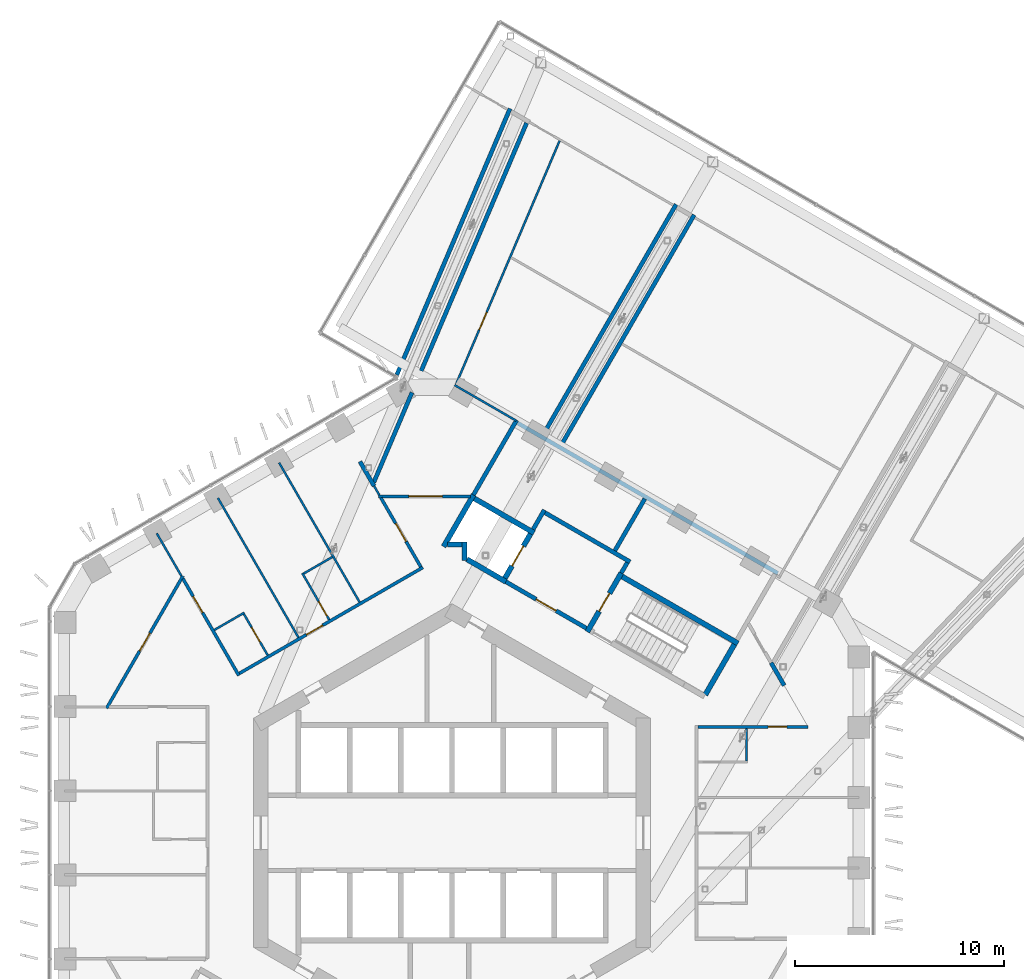
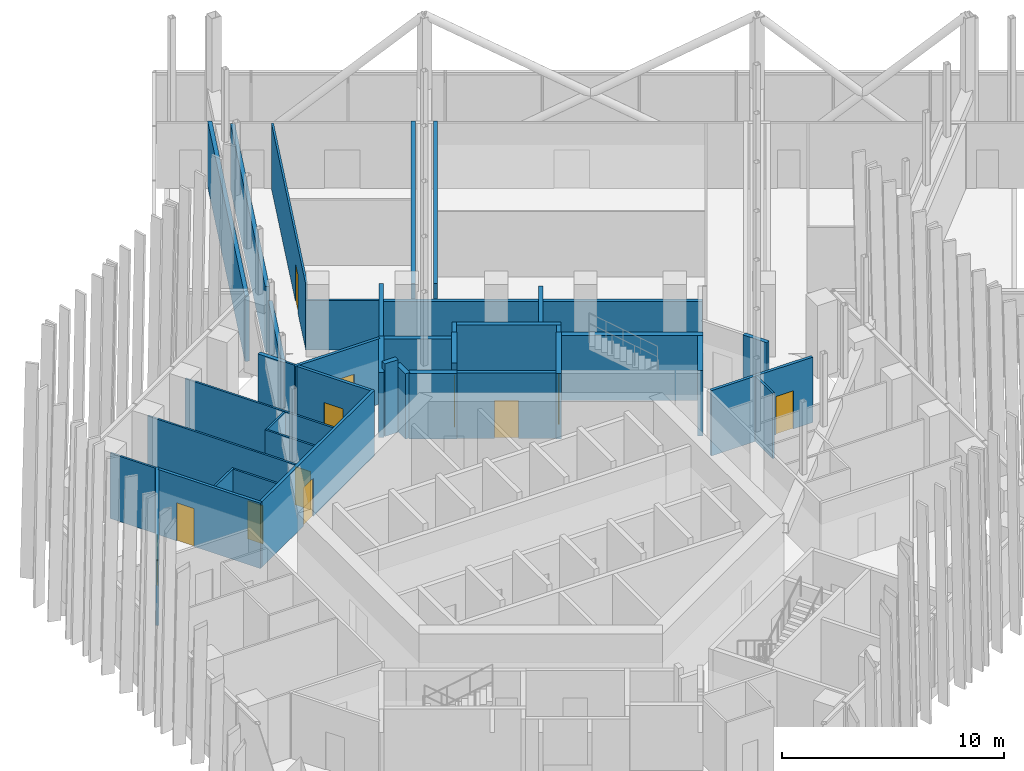
# One storey, part 22 of 31: 40 walls, 12 doors, 12 openings.
"""IFC4 building model written with IfcOpenShell, lengths in metres."""

from ifc_helpers import new_model, si_unit, direction, frame, frame_2d, origin, place, context, subcontext, project, spatial, rectangle, extrude, material, layer, layer_set, type_object, element, fill, save


model = new_model("IFC4")

# Units and contexts
model_context = context("Model", 3, precision=1e-05, world=origin(), true_north=direction((0.0, 1.0)))
body_context = subcontext(model_context, "Body", "Model", "MODEL_VIEW")
ifc_project = project(units=[si_unit("LENGTHUNIT", "METRE"), si_unit("AREAUNIT", "SQUARE_METRE"), si_unit("VOLUMEUNIT", "CUBIC_METRE"), si_unit("PLANEANGLEUNIT", "RADIAN"), si_unit("MASSUNIT", "GRAM", prefix="KILO")], contexts=[model_context])

# Site, building, storey
site_placement = place(None, origin())
site = spatial("IfcSite", under=ifc_project, at=site_placement, CompositionType="ELEMENT")
building_placement = place(site_placement, origin())
building = spatial("IfcBuilding", under=site, at=building_placement, Name="Ayvan Gate Tower", CompositionType="ELEMENT")
storey_placement = place(building_placement, frame((0.0, 0.0, 135.89990234375)))
storey = spatial("IfcBuildingStorey", under=building, at=storey_placement, Name="L36", CompositionType="ELEMENT", Elevation=135.89990234375)

# Wall, opening, door
ifc_material_1 = material(Name="Plasterboard on steel stud", Category="steel")
ifc_layer_1 = layer(ifc_material_1, 0.14990234375)
ifc_layer_set_1 = layer_set([ifc_layer_1], Name="Plasterboard on steel stud")
wall_type_1 = type_object("IfcWallType", Name="WT-CORR-150", PredefinedType="PARTITIONING", material=ifc_layer_set_1)
wall_1_placement = place(storey_placement, frame((-16.536865234375, 5.965087890625, 0.0), z_axis=(0.0, 0.0, 1.0), x_axis=(0.500014413017, 0.866017082265, 0.0)))
wall_1 = element("IfcWall", 1, at=wall_1_placement, inside=storey, type_object=wall_type_1, Name="IW-L36-001", PredefinedType="PARTITIONING", context=body_context, shape_type="SweptSolid", body=[
    extrude(rectangle(XDim=7.310791015625, YDim=0.14990234375, at=frame_2d((3.6552734375, 0.0))), origin(), (0.0, 0.0, 1.0), 3.60009765625),
])
opening_1_placement = place(wall_1_placement, frame((3.155517578125, 0.0, 0.0)))
opening_1 = element("IfcOpeningElement", 2, at=opening_1_placement, cuts=wall_1, Name="Opening L36-D23", PredefinedType="OPENING", context=body_context, shape_type="SweptSolid", body=[
    extrude(rectangle(XDim=1.0, YDim=2.10009765625, at=frame_2d((0.5, 1.050048828125))), frame((0.0, 0.0849609375, 0.0), z_axis=(0.0, -1.0, 0.0), x_axis=(1.0, 0.0, 0.0)), (0.0, 0.0, 1.0), 0.169921875),
])
ifc_material_2 = material(Name="Timber door leaf", Category="wood")
door_type_1 = type_object("IfcDoorType", Name="DT-1000", OperationType="NOTDEFINED", PredefinedType="DOOR", material=ifc_material_2)
door_1_placement = place(opening_1_placement, origin())
door_1 = element("IfcDoor", 3, at=door_1_placement, inside=storey, type_object=door_type_1, Name="ID-L36-023", OperationType="SINGLE_SWING_LEFT", OverallHeight=2.10009765625, OverallWidth=1.0, PredefinedType="DOOR", context=body_context, shape_type="SweptSolid", body=[
    extrude(rectangle(XDim=1.0, YDim=2.10009765625, at=frame_2d((0.5, 1.050048828125))), frame((0.0, 0.02490234375, 0.0), z_axis=(0.0, -1.0, 0.0), x_axis=(1.0, 0.0, 0.0)), (0.0, 0.0, 1.0), 0.050048828125),
])
fill(opening_1, door_1)

wall_2_placement = place(storey_placement, frame((-12.88134765625, 12.16650390625, 0.0), z_axis=(0.0, 0.0, 1.0), x_axis=(0.500034386872, -0.866005549604, 0.0)))
wall_2 = element("IfcWall", 4, at=wall_2_placement, inside=storey, type_object=wall_type_1, Name="IW-L36-012", PredefinedType="PARTITIONING", context=body_context, shape_type="SweptSolid", body=[
    extrude(rectangle(XDim=5.35205078125, YDim=0.14990234375, at=frame_2d((2.676025390625, 0.0))), origin(), (0.0, 0.0, 1.0), 3.60009765625),
])
opening_2_placement = place(wall_2_placement, frame((0.9736328125, 0.0, 0.0)))
opening_2 = element("IfcOpeningElement", 5, at=opening_2_placement, cuts=wall_2, Name="Opening L36-D36", PredefinedType="OPENING", context=body_context, shape_type="SweptSolid", body=[
    extrude(rectangle(XDim=0.89990234375, YDim=2.10009765625, at=frame_2d((0.449951171875, 1.050048828125))), frame((0.0, 0.0849609375, 0.0), z_axis=(0.0, -1.0, 0.0), x_axis=(1.0, 0.0, 0.0)), (0.0, 0.0, 1.0), 0.169921875),
])
door_type_2 = type_object("IfcDoorType", Name="DT-900", OperationType="NOTDEFINED", PredefinedType="DOOR", material=ifc_material_2)
door_2_placement = place(opening_2_placement, origin())
door_2 = element("IfcDoor", 6, at=door_2_placement, inside=storey, type_object=door_type_2, Name="ID-L36-036", OperationType="SINGLE_SWING_RIGHT", OverallHeight=2.10009765625, OverallWidth=0.89990234375, PredefinedType="DOOR", context=body_context, shape_type="SweptSolid", body=[
    extrude(rectangle(XDim=0.89990234375, YDim=2.10009765625, at=frame_2d((0.449951171875, 1.050048828125))), frame((0.0, 0.02490234375, 0.0), z_axis=(0.0, -1.0, 0.0), x_axis=(1.0, 0.0, 0.0)), (0.0, 0.0, 1.0), 0.050048828125),
])
fill(opening_2, door_2)

wall_3_placement = place(storey_placement, frame((-10.177734375, 7.6337890625, 0.0), z_axis=(0.0, 0.0, 1.0), x_axis=(0.866024876865, 0.500000912651, 0.0)))
wall_3 = element("IfcWall", 7, at=wall_3_placement, inside=storey, type_object=wall_type_1, Name="IW-L36-019", PredefinedType="PARTITIONING", context=body_context, shape_type="SweptSolid", body=[
    extrude(rectangle(XDim=10.14453125, YDim=0.14990234375, at=frame_2d((5.072265625, 0.0))), origin(), (0.0, 0.0, 1.0), 3.60009765625),
])
opening_3_placement = place(wall_3_placement, frame((3.70654296875, 0.0, 0.0)))
opening_3 = element("IfcOpeningElement", 8, at=opening_3_placement, cuts=wall_3, Name="Opening L36-D34", PredefinedType="OPENING", context=body_context, shape_type="SweptSolid", body=[
    extrude(rectangle(XDim=0.89990234375, YDim=2.10009765625, at=frame_2d((0.449951171875, 1.050048828125))), frame((0.0, 0.0849609375, 0.0), z_axis=(0.0, -1.0, 0.0), x_axis=(1.0, 0.0, 0.0)), (0.0, 0.0, 1.0), 0.169921875),
])
door_3_placement = place(opening_3_placement, origin())
door_3 = element("IfcDoor", 9, at=door_3_placement, inside=storey, type_object=door_type_2, Name="ID-L36-034", OperationType="SINGLE_SWING_RIGHT", OverallHeight=2.10009765625, OverallWidth=0.89990234375, PredefinedType="DOOR", context=body_context, shape_type="SweptSolid", body=[
    extrude(rectangle(XDim=0.89990234375, YDim=2.10009765625, at=frame_2d((0.449951171875, 1.050048828125))), frame((0.0, 0.02490234375, 0.0), z_axis=(0.0, -1.0, 0.0), x_axis=(1.0, 0.0, 0.0)), (0.0, 0.0, 1.0), 0.050048828125),
])
fill(opening_3, door_3)

wall_4_placement = place(storey_placement, frame((-3.515625, 16.103759765625, 0.0), z_axis=(0.0, 0.0, 1.0), x_axis=(1.0, 0.0, 0.0)))
wall_4 = element("IfcWall", 10, at=wall_4_placement, inside=storey, type_object=wall_type_1, Name="IW-L36-046", PredefinedType="PARTITIONING", context=body_context, shape_type="SweptSolid", body=[
    extrude(rectangle(XDim=4.3994140625, YDim=0.14990234375, at=frame_2d((2.19970703125, 0.0))), origin(), (0.0, 0.0, 1.0), 3.60009765625),
])
opening_4_placement = place(wall_4_placement, frame((1.45458984375, 0.0, 0.0)))
opening_4 = element("IfcOpeningElement", 11, at=opening_4_placement, cuts=wall_4, Name="Opening L36-D45", PredefinedType="OPENING", context=body_context, shape_type="SweptSolid", body=[
    extrude(rectangle(XDim=1.60009765625, YDim=2.10009765625, at=frame_2d((0.800048828125, 1.050048828125))), frame((0.0, 0.0849609375, 0.0), z_axis=(0.0, -1.0, 0.0), x_axis=(1.0, 0.0, 0.0)), (0.0, 0.0, 1.0), 0.169921875),
])
door_type_3 = type_object("IfcDoorType", Name="DT-1600", OperationType="NOTDEFINED", PredefinedType="DOOR", material=ifc_material_2)
door_4_placement = place(opening_4_placement, origin())
door_4 = element("IfcDoor", 12, at=door_4_placement, inside=storey, type_object=door_type_3, Name="ID-L36-045", OperationType="SINGLE_SWING_LEFT", OverallHeight=2.10009765625, OverallWidth=1.60009765625, PredefinedType="DOOR", context=body_context, shape_type="SweptSolid", body=[
    extrude(rectangle(XDim=1.60009765625, YDim=2.10009765625, at=frame_2d((0.800048828125, 1.050048828125))), frame((0.0, 0.02490234375, 0.0), z_axis=(0.0, -1.0, 0.0), x_axis=(1.0, 0.0, 0.0)), (0.0, 0.0, 1.0), 0.050048828125),
])
fill(opening_4, door_4)

wall_5_placement = place(storey_placement, frame((-1.494873046875, 12.733642578125, 0.0), z_axis=(0.0, 0.0, 1.0), x_axis=(-0.499991942392, 0.866030055796, 0.0)))
wall_5 = element("IfcWall", 13, at=wall_5_placement, inside=storey, type_object=wall_type_1, Name="IW-L36-053", PredefinedType="PARTITIONING", context=body_context, shape_type="SweptSolid", body=[
    extrude(rectangle(XDim=3.81640625, YDim=0.14990234375, at=frame_2d((1.908203125, 0.0))), origin(), (0.0, 0.0, 1.0), 3.60009765625),
])
opening_5_placement = place(wall_5_placement, frame((1.408203125, 0.0, 0.0)))
opening_5 = element("IfcOpeningElement", 14, at=opening_5_placement, cuts=wall_5, Name="Opening L36-D33", PredefinedType="OPENING", context=body_context, shape_type="SweptSolid", body=[
    extrude(rectangle(XDim=1.0, YDim=2.10009765625, at=frame_2d((0.5, 1.050048828125))), frame((0.0, 0.0849609375, 0.0), z_axis=(0.0, -1.0, 0.0), x_axis=(1.0, 0.0, 0.0)), (0.0, 0.0, 1.0), 0.169921875),
])
door_5_placement = place(opening_5_placement, origin())
door_5 = element("IfcDoor", 15, at=door_5_placement, inside=storey, type_object=door_type_1, Name="ID-L36-033", OperationType="SINGLE_SWING_LEFT", OverallHeight=2.10009765625, OverallWidth=1.0, PredefinedType="DOOR", context=body_context, shape_type="SweptSolid", body=[
    extrude(rectangle(XDim=1.0, YDim=2.10009765625, at=frame_2d((0.5, 1.050048828125))), frame((0.0, 0.02490234375, 0.0), z_axis=(0.0, -1.0, 0.0), x_axis=(1.0, 0.0, 0.0)), (0.0, 0.0, 1.0), 0.050048828125),
])
fill(opening_5, door_5)

wall_6_placement = place(storey_placement, frame((11.77490234375, 5.072265625, 0.0), z_axis=(0.0, 0.0, 1.0), x_axis=(1.0, 0.0, 0.0)))
wall_6 = element("IfcWall", 16, at=wall_6_placement, inside=storey, type_object=wall_type_1, Name="IW-L36-124", PredefinedType="PARTITIONING", context=body_context, shape_type="SweptSolid", body=[
    extrude(rectangle(XDim=5.27734375, YDim=0.14990234375, at=frame_2d((2.638671875, 0.0))), origin(), (0.0, 0.0, 1.0), 3.60009765625),
])
opening_6_placement = place(wall_6_placement, frame((3.3662109375, 0.0, 0.0)))
opening_6 = element("IfcOpeningElement", 17, at=opening_6_placement, cuts=wall_6, Name="Opening L36-D21", PredefinedType="OPENING", context=body_context, shape_type="SweptSolid", body=[
    extrude(rectangle(XDim=0.89990234375, YDim=2.10009765625, at=frame_2d((0.449951171875, 1.050048828125))), frame((0.0, 0.0849609375, 0.0), z_axis=(0.0, -1.0, 0.0), x_axis=(1.0, 0.0, 0.0)), (0.0, 0.0, 1.0), 0.169921875),
])
door_6_placement = place(opening_6_placement, origin())
door_6 = element("IfcDoor", 18, at=door_6_placement, inside=storey, type_object=door_type_2, Name="ID-L36-021", OperationType="SINGLE_SWING_LEFT", OverallHeight=2.10009765625, OverallWidth=0.89990234375, PredefinedType="DOOR", context=body_context, shape_type="SweptSolid", body=[
    extrude(rectangle(XDim=0.89990234375, YDim=2.10009765625, at=frame_2d((0.449951171875, 1.050048828125))), frame((0.0, 0.02490234375, 0.0), z_axis=(0.0, -1.0, 0.0), x_axis=(1.0, 0.0, 0.0)), (0.0, 0.0, 1.0), 0.050048828125),
])
fill(opening_6, door_6)

# Walls
ifc_layer_2 = layer(ifc_material_1, 0.10009765625)
ifc_layer_set_2 = layer_set([ifc_layer_2], Name="Plasterboard on steel stud")
wall_type_2 = type_object("IfcWallType", Name="WT-PART-100", PredefinedType="PARTITIONING", material=ifc_layer_set_2)
wall_7_placement = place(storey_placement, frame((-14.135498046875, 14.3388671875, 0.0), z_axis=(0.0, 0.0, 1.0), x_axis=(0.499991277142, -0.86603043987, 0.0)))
element("IfcWall", 19, at=wall_7_placement, inside=storey, type_object=wall_type_2, Name="IW-L36-009", PredefinedType="PARTITIONING", context=body_context, shape_type="SweptSolid", body=[
    extrude(rectangle(XDim=2.3583984375, YDim=0.10009765625, at=frame_2d((1.17919921875, 0.0))), origin(), (0.0, 0.0, 1.0), 3.60009765625),
])
wall_8_placement = place(storey_placement, frame((-9.943115234375, 10.54052734375, 0.0), z_axis=(0.0, 0.0, 1.0), x_axis=(-0.866057962423, -0.499943602543, 0.0)))
element("IfcWall", 20, at=wall_8_placement, inside=storey, type_object=wall_type_2, Name="IW-L36-020", PredefinedType="PARTITIONING", context=body_context, shape_type="SweptSolid", body=[
    extrude(rectangle(XDim=1.656494140625, YDim=0.10009765625, at=frame_2d((0.828125, 0.0))), origin(), (0.0, 0.0, 1.0), 3.60009765625),
])

# Wall, opening, door
wall_9_placement = place(storey_placement, frame((-8.823974609375, 8.502197265625, 0.0), z_axis=(0.0, 0.0, 1.0), x_axis=(-0.499982560684, 0.866035472144, 0.0)))
wall_9 = element("IfcWall", 21, at=wall_9_placement, inside=storey, type_object=wall_type_2, Name="IW-L36-022", PredefinedType="PARTITIONING", context=body_context, shape_type="SweptSolid", body=[
    extrude(rectangle(XDim=2.27490234375, YDim=0.10009765625, at=frame_2d((1.137451171875, 0.0))), origin(), (0.0, 0.0, 1.0), 3.60009765625),
])
opening_7_placement = place(wall_9_placement, frame((0.737548828125, 0.0, 0.0)))
opening_7 = element("IfcOpeningElement", 22, at=opening_7_placement, cuts=wall_9, Name="Opening L36-D37", PredefinedType="OPENING", context=body_context, shape_type="SweptSolid", body=[
    extrude(rectangle(XDim=0.800048828125, YDim=2.10009765625, at=frame_2d((0.39990234375, 1.050048828125))), frame((0.0, 0.06005859375, 0.0), z_axis=(0.0, -1.0, 0.0), x_axis=(1.0, 0.0, 0.0)), (0.0, 0.0, 1.0), 0.1201171875),
])
door_type_4 = type_object("IfcDoorType", Name="DT-800", OperationType="NOTDEFINED", PredefinedType="DOOR", material=ifc_material_2)
door_7_placement = place(opening_7_placement, origin())
door_7 = element("IfcDoor", 23, at=door_7_placement, inside=storey, type_object=door_type_4, Name="ID-L36-037", OperationType="SINGLE_SWING_LEFT", OverallHeight=2.10009765625, OverallWidth=0.800048828125, PredefinedType="DOOR", context=body_context, shape_type="SweptSolid", body=[
    extrude(rectangle(XDim=0.800048828125, YDim=2.10009765625, at=frame_2d((0.39990234375, 1.050048828125))), frame((0.0, 0.02490234375, 0.0), z_axis=(0.0, -1.0, 0.0), x_axis=(1.0, 0.0, 0.0)), (0.0, 0.0, 1.0), 0.050048828125),
])
fill(opening_7, door_7)

# Wall
wall_10_placement = place(storey_placement, frame((-7.351806640625, 9.35205078125, 0.0), z_axis=(0.0, 0.0, 1.0), x_axis=(-0.499997453958, 0.866026873738, 0.0)))
element("IfcWall", 24, at=wall_10_placement, inside=storey, type_object=wall_type_2, Name="IW-L36-032", PredefinedType="PARTITIONING", context=body_context, shape_type="SweptSolid", body=[
    extrude(rectangle(XDim=7.71044921875, YDim=0.10009765625, at=frame_2d((3.855224609375, 0.0))), origin(), (0.0, 0.0, 1.0), 3.60009765625),
])

# Wall, opening, door
wall_11_placement = place(storey_placement, frame((-7.1669921875, 12.43212890625, 0.0), z_axis=(0.0, 0.0, 1.0), x_axis=(0.500034319456, -0.866005588531, 0.0)))
wall_11 = element("IfcWall", 25, at=wall_11_placement, inside=storey, type_object=wall_type_2, Name="IW-L36-033", PredefinedType="PARTITIONING", context=body_context, shape_type="SweptSolid", body=[
    extrude(rectangle(XDim=2.574951171875, YDim=0.10009765625, at=frame_2d((1.28759765625, 0.0))), origin(), (0.0, 0.0, 1.0), 3.60009765625),
])
opening_8_placement = place(wall_11_placement, frame((1.5625, 0.0, 0.0)))
opening_8 = element("IfcOpeningElement", 26, at=opening_8_placement, cuts=wall_11, Name="Opening L36-D35", PredefinedType="OPENING", context=body_context, shape_type="SweptSolid", body=[
    extrude(rectangle(XDim=0.800048828125, YDim=2.10009765625, at=frame_2d((0.39990234375, 1.050048828125))), frame((0.0, 0.06005859375, 0.0), z_axis=(0.0, -1.0, 0.0), x_axis=(1.0, 0.0, 0.0)), (0.0, 0.0, 1.0), 0.1201171875),
])
door_8_placement = place(opening_8_placement, origin())
door_8 = element("IfcDoor", 27, at=door_8_placement, inside=storey, type_object=door_type_4, Name="ID-L36-035", OperationType="SINGLE_SWING_LEFT", OverallHeight=2.10009765625, OverallWidth=0.800048828125, PredefinedType="DOOR", context=body_context, shape_type="SweptSolid", body=[
    extrude(rectangle(XDim=0.800048828125, YDim=2.10009765625, at=frame_2d((0.39990234375, 1.050048828125))), frame((0.0, 0.02490234375, 0.0), z_axis=(0.0, -1.0, 0.0), x_axis=(1.0, 0.0, 0.0)), (0.0, 0.0, 1.0), 0.050048828125),
])
fill(opening_8, door_8)

# Walls
wall_12_placement = place(storey_placement, frame((-5.72900390625, 13.20458984375, 0.0), z_axis=(0.0, 0.0, 1.0), x_axis=(-0.866021059532, -0.50000752439, 0.0)))
element("IfcWall", 28, at=wall_12_placement, inside=storey, type_object=wall_type_2, Name="IW-L36-036", PredefinedType="PARTITIONING", context=body_context, shape_type="SweptSolid", body=[
    extrude(rectangle(XDim=1.58154296875, YDim=0.10009765625, at=frame_2d((0.790771484375, 0.0))), origin(), (0.0, 0.0, 1.0), 3.60009765625),
])
wall_13_placement = place(storey_placement, frame((-4.42333984375, 11.042724609375, 0.0), z_axis=(0.0, 0.0, 1.0), x_axis=(-0.499983743644, 0.866034789193, 0.0)))
element("IfcWall", 29, at=wall_13_placement, inside=storey, type_object=wall_type_2, Name="IW-L36-042", PredefinedType="PARTITIONING", context=body_context, shape_type="SweptSolid", body=[
    extrude(rectangle(XDim=7.710693359375, YDim=0.10009765625, at=frame_2d((3.85546875, 0.0))), origin(), (0.0, 0.0, 1.0), 3.60009765625),
])
wall_14_placement = place(storey_placement, frame((-3.730712890625, 16.6064453125, 0.0), z_axis=(0.0, 0.0, 1.0), x_axis=(0.499931517724, -0.866064938435, 0.0)))
element("IfcWall", 30, at=wall_14_placement, inside=storey, type_object=wall_type_2, Name="IW-L36-044", PredefinedType="PARTITIONING", context=body_context, shape_type="SweptSolid", body=[
    extrude(rectangle(XDim=0.50537109375, YDim=0.10009765625, at=frame_2d((0.252685546875, 0.0))), origin(), (0.0, 0.0, 1.0), 3.60009765625),
])
wall_15_placement = place(storey_placement, frame((0.123779296875, 21.43603515625, 0.0), z_axis=(0.0, 0.0, 1.0), x_axis=(0.866036589769, -0.499980624807, 0.0)))
element("IfcWall", 31, at=wall_15_placement, inside=storey, type_object=wall_type_2, Name="IW-L36-065", PredefinedType="PARTITIONING", context=body_context, shape_type="SweptSolid", body=[
    extrude(rectangle(XDim=3.410888671875, YDim=0.10009765625, at=frame_2d((1.70556640625, 0.0))), origin(), (0.0, 0.0, 1.0), 2.72509765625),
])

# Wall, opening, door
wall_16_placement = place(storey_placement, frame((0.1865234375, 21.45703125, 0.0), z_axis=(0.0, 0.0, 1.0), x_axis=(0.391326404729, 0.920251946459, 0.0)))
wall_16 = element("IfcWall", 32, at=wall_16_placement, inside=storey, type_object=wall_type_2, Name="IW-L36-083", PredefinedType="PARTITIONING", context=body_context, shape_type="SweptSolid", body=[
    extrude(rectangle(XDim=12.689697265625, YDim=0.10009765625, at=frame_2d((6.3447265625, 0.0))), origin(), (0.0, 0.0, 1.0), 3.60009765625),
])
opening_9_placement = place(wall_16_placement, frame((2.856689453125, 0.0, 0.0)))
opening_9 = element("IfcOpeningElement", 33, at=opening_9_placement, cuts=wall_16, Name="Opening L36-D46", PredefinedType="OPENING", context=body_context, shape_type="SweptSolid", body=[
    extrude(rectangle(XDim=0.89990234375, YDim=2.10009765625, at=frame_2d((0.449951171875, 1.050048828125))), frame((0.0, 0.06005859375, 0.0), z_axis=(0.0, -1.0, 0.0), x_axis=(1.0, 0.0, 0.0)), (0.0, 0.0, 1.0), 0.1201171875),
])
door_9_placement = place(opening_9_placement, origin())
door_9 = element("IfcDoor", 34, at=door_9_placement, inside=storey, type_object=door_type_2, Name="ID-L36-046", OperationType="SINGLE_SWING_RIGHT", OverallHeight=2.10009765625, OverallWidth=0.89990234375, PredefinedType="DOOR", context=body_context, shape_type="SweptSolid", body=[
    extrude(rectangle(XDim=0.89990234375, YDim=2.10009765625, at=frame_2d((0.449951171875, 1.050048828125))), frame((0.0, 0.02490234375, 0.0), z_axis=(0.0, -1.0, 0.0), x_axis=(1.0, 0.0, 0.0)), (0.0, 0.0, 1.0), 0.050048828125),
])
fill(opening_9, door_9)

# Walls
wall_17_placement = place(storey_placement, frame((14.10009765625, 3.440673828125, 0.0), z_axis=(0.0, 0.0, 1.0), x_axis=(0.0, 1.0, 0.0)))
element("IfcWall", 35, at=wall_17_placement, inside=storey, type_object=wall_type_2, Name="IW-L36-123", PredefinedType="PARTITIONING", context=body_context, shape_type="SweptSolid", body=[
    extrude(rectangle(XDim=1.556640625, YDim=0.10009765625, at=frame_2d((0.7783203125, 0.0))), origin(), (0.0, 0.0, 1.0), 3.60009765625),
])
ifc_layer_3 = layer(ifc_material_1, 0.199951171875)
ifc_layer_set_3 = layer_set([ifc_layer_3], Name="Plasterboard on steel stud")
wall_type_3 = type_object("IfcWallType", Name="WT-PLUMB-200", PredefinedType="PLUMBINGWALL", material=ifc_layer_set_3)
wall_18_placement = place(storey_placement, frame((-4.406494140625, 17.777099609375, 0.0), z_axis=(0.0, 0.0, 1.0), x_axis=(0.499868360126, -0.866101392762, 0.0)))
element("IfcWall", 36, at=wall_18_placement, inside=storey, type_object=wall_type_3, Name="IW-L36-041", PredefinedType="PLUMBINGWALL", context=body_context, shape_type="SweptSolid", body=[
    extrude(rectangle(XDim=1.351806640625, YDim=0.199951171875, at=frame_2d((0.67578125, 0.0))), origin(), (0.0, 0.0, 1.0), 3.60009765625),
])
wall_19_placement = place(storey_placement, frame((-3.74169921875, 16.784912109375, 0.0), z_axis=(0.0, 0.0, 1.0), x_axis=(0.391305578828, 0.920260802152, 0.0)))
element("IfcWall", 37, at=wall_19_placement, inside=storey, type_object=wall_type_3, Name="IW-L36-045", PredefinedType="PLUMBINGWALL", context=body_context, shape_type="SweptSolid", body=[
    extrude(rectangle(XDim=4.669921875, YDim=0.199951171875, at=frame_2d((2.3349609375, 0.0))), origin(), (0.0, 0.0, 1.0), 3.60009765625),
])
wall_20_placement = place(storey_placement, frame((-2.642333984375, 21.92578125, 0.0), z_axis=(0.0, 0.0, 1.0), x_axis=(0.391327561496, 0.920251454557, 0.0)))
element("IfcWall", 38, at=wall_20_placement, inside=storey, type_object=wall_type_3, Name="IW-L36-051", PredefinedType="PLUMBINGWALL", context=body_context, shape_type="SweptSolid", body=[
    extrude(rectangle(XDim=13.855712890625, YDim=0.199951171875, at=frame_2d((6.927734375, 0.0))), origin(), (0.0, 0.0, 1.0), 3.60009765625),
])
wall_21_placement = place(storey_placement, frame((0.946044921875, 16.038818359375, 0.0), z_axis=(0.0, 0.0, 1.0), x_axis=(0.50004020135, 0.86600219228, 0.0)))
element("IfcWall", 39, at=wall_21_placement, inside=storey, type_object=wall_type_3, Name="IW-L36-071", PredefinedType="PLUMBINGWALL", context=body_context, shape_type="SweptSolid", body=[
    extrude(rectangle(XDim=4.301025390625, YDim=0.199951171875, at=frame_2d((2.150390625, 0.0))), origin(), (0.0, 0.0, 1.0), 3.60009765625),
])
wall_22_placement = place(storey_placement, frame((3.13330078125, 19.626708984375, 0.0), z_axis=(0.0, 0.0, 1.0), x_axis=(0.866025783705, -0.499999341958, 0.0)))
element("IfcWall", 40, at=wall_22_placement, inside=storey, type_object=wall_type_3, Name="IW-L36-084", PredefinedType="PLUMBINGWALL", context=body_context, shape_type="SweptSolid", body=[
    extrude(rectangle(XDim=14.39990234375, YDim=0.199951171875, at=frame_2d((7.199951171875, 0.0))), origin(), (0.0, 0.0, 1.0), 2.72509765625),
])
wall_23_placement = place(storey_placement, frame((3.573974609375, 33.98876953125, 0.0), z_axis=(0.0, 0.0, 1.0), x_axis=(-0.391321327566, -0.920254105447, 0.0)))
element("IfcWall", 41, at=wall_23_placement, inside=storey, type_object=wall_type_3, Name="IW-L36-087", PredefinedType="PLUMBINGWALL", context=body_context, shape_type="SweptSolid", body=[
    extrude(rectangle(XDim=12.9033203125, YDim=0.199951171875, at=frame_2d((6.45166015625, 0.0))), origin(), (0.0, 0.0, 1.0), 3.60009765625),
])
wall_24_placement = place(storey_placement, frame((3.885009765625, 14.52880859375, 0.0), z_axis=(0.0, 0.0, 1.0), x_axis=(0.499997628298, 0.866026773083, 0.0)))
element("IfcWall", 42, at=wall_24_placement, inside=storey, type_object=wall_type_3, Name="IW-L36-088", PredefinedType="PLUMBINGWALL", context=body_context, shape_type="SweptSolid", body=[
    extrude(rectangle(XDim=1.0751953125, YDim=0.199951171875, at=frame_2d((0.53759765625, 0.0))), origin(), (0.0, 0.0, 1.0), 3.60009765625),
])
wall_25_placement = place(storey_placement, frame((4.352294921875, 19.038330078125, 0.0), z_axis=(0.0, 0.0, 1.0), x_axis=(0.500008481224, 0.866020507092, 0.0)))
element("IfcWall", 43, at=wall_25_placement, inside=storey, type_object=wall_type_3, Name="IW-L36-089", PredefinedType="PLUMBINGWALL", context=body_context, shape_type="SweptSolid", body=[
    extrude(rectangle(XDim=12.757568359375, YDim=0.199951171875, at=frame_2d((6.37890625, 0.0))), origin(), (0.0, 0.0, 1.0), 3.60009765625),
])
wall_26_placement = place(storey_placement, frame((4.458984375, 15.323486328125, 0.0), z_axis=(0.0, 0.0, 1.0), x_axis=(0.866016039709, -0.500016218704, 0.0)))
element("IfcWall", 44, at=wall_26_placement, inside=storey, type_object=wall_type_3, Name="IW-L36-090", PredefinedType="PLUMBINGWALL", context=body_context, shape_type="SweptSolid", body=[
    extrude(rectangle(XDim=4.699951171875, YDim=0.199951171875, at=frame_2d((2.35009765625, 0.0))), origin(), (0.0, 0.0, 1.0), 3.60009765625),
])
wall_27_placement = place(storey_placement, frame((7.800048828125, 13.510009765625, 0.0), z_axis=(0.0, 0.0, 1.0), x_axis=(0.499980730498, 0.866036528751, 0.0)))
element("IfcWall", 45, at=wall_27_placement, inside=storey, type_object=wall_type_3, Name="IW-L36-103", PredefinedType="PLUMBINGWALL", context=body_context, shape_type="SweptSolid", body=[
    extrude(rectangle(XDim=2.86376953125, YDim=0.199951171875, at=frame_2d((1.431884765625, 0.0))), origin(), (0.0, 0.0, 1.0), 3.60009765625),
])
wall_28_placement = place(storey_placement, frame((5.218505859375, 18.538330078125, 0.0), z_axis=(0.0, 0.0, 1.0), x_axis=(0.499994128518, 0.86602879366, 0.0)))
element("IfcWall", 46, at=wall_28_placement, inside=storey, type_object=wall_type_3, Name="IW-L36-106", PredefinedType="PLUMBINGWALL", context=body_context, shape_type="SweptSolid", body=[
    extrude(rectangle(XDim=12.757568359375, YDim=0.199951171875, at=frame_2d((6.37890625, 0.0))), origin(), (0.0, 0.0, 1.0), 3.60009765625),
])
wall_29_placement = place(storey_placement, frame((8.392822265625, 12.936767578125, 0.0), z_axis=(0.0, 0.0, 1.0), x_axis=(-0.500065409566, -0.86598763626, 0.0)))
element("IfcWall", 47, at=wall_29_placement, inside=storey, type_object=wall_type_3, Name="IW-L36-107", PredefinedType="PLUMBINGWALL", context=body_context, shape_type="SweptSolid", body=[
    extrude(rectangle(XDim=0.5751953125, YDim=0.199951171875, at=frame_2d((0.28759765625, 0.0))), origin(), (0.0, 0.0, 1.0), 3.60009765625),
])
wall_30_placement = place(storey_placement, frame((15.28076171875, 8.140380859375, 0.0), z_axis=(0.0, 0.0, 1.0), x_axis=(0.500031220278, -0.866007377998, 0.0)))
element("IfcWall", 48, at=wall_30_placement, inside=storey, type_object=wall_type_3, Name="IW-L36-129", PredefinedType="PLUMBINGWALL", context=body_context, shape_type="SweptSolid", body=[
    extrude(rectangle(XDim=1.2548828125, YDim=0.199951171875, at=frame_2d((0.62744140625, 0.0))), origin(), (0.0, 0.0, 1.0), 3.60009765625),
])

# Wall, opening, door
ifc_layer_4 = layer(ifc_material_1, 0.199951171875)
ifc_layer_set_4 = layer_set([ifc_layer_4], Name="Plasterboard on steel stud")
wall_type_4 = type_object("IfcWallType", Name="WT-RATED-200", PredefinedType="PARTITIONING", material=ifc_layer_set_4)
wall_31_placement = place(storey_placement, frame((6.4345703125, 9.794921875, 0.0), z_axis=(0.0, 0.0, 1.0), x_axis=(-0.866012907634, 0.500021643343, 0.0)))
wall_31 = element("IfcWall", 49, at=wall_31_placement, inside=storey, type_object=wall_type_4, Name="IW-L36-094", PredefinedType="PARTITIONING", context=body_context, shape_type="SweptSolid", body=[
    extrude(rectangle(XDim=4.449951171875, YDim=0.199951171875, at=frame_2d((2.22509765625, 0.0))), origin(), (0.0, 0.0, 1.0), 3.60009765625),
])
opening_10_placement = place(wall_31_placement, frame((1.675048828125, 0.0, 0.0)))
opening_10 = element("IfcOpeningElement", 50, at=opening_10_placement, cuts=wall_31, Name="Opening L36-D08", PredefinedType="OPENING", context=body_context, shape_type="SweptSolid", body=[
    extrude(rectangle(XDim=1.10009765625, YDim=2.10009765625, at=frame_2d((0.550048828125, 1.050048828125))), frame((0.0, 0.10986328125, 0.0), z_axis=(0.0, -1.0, 0.0), x_axis=(1.0, 0.0, 0.0)), (0.0, 0.0, 1.0), 0.219970703125),
])
door_type_5 = type_object("IfcDoorType", Name="DT-1100", OperationType="NOTDEFINED", PredefinedType="DOOR", material=ifc_material_2)
door_10_placement = place(opening_10_placement, origin())
door_10 = element("IfcDoor", 51, at=door_10_placement, inside=storey, type_object=door_type_5, Name="ID-L36-008", OperationType="SINGLE_SWING_RIGHT", OverallHeight=2.10009765625, OverallWidth=1.10009765625, PredefinedType="DOOR", context=body_context, shape_type="SweptSolid", body=[
    extrude(rectangle(XDim=1.10009765625, YDim=2.10009765625, at=frame_2d((0.550048828125, 1.050048828125))), frame((0.0, 0.02490234375, 0.0), z_axis=(0.0, -1.0, 0.0), x_axis=(1.0, 0.0, 0.0)), (0.0, 0.0, 1.0), 0.050048828125),
])
fill(opening_10, door_10)

# Walls
ifc_material_3 = material(Name="Concrete C50/60", Category="concrete")
ifc_layer_5 = layer(ifc_material_3, 0.25)
ifc_layer_set_5 = layer_set([ifc_layer_5], Name="Concrete C50/60")
wall_type_5 = type_object("IfcWallType", Name="WT-RC-250", PredefinedType="SHEAR", material=ifc_layer_set_5)
wall_32_placement = place(storey_placement, frame((-0.403076171875, 13.70166015625, 0.0), z_axis=(0.0, 0.0, 1.0), x_axis=(0.499976111731, 0.866039195244, 0.0)))
element("IfcWall", 52, at=wall_32_placement, inside=storey, type_object=wall_type_5, Name="IW-L36-062", PredefinedType="SHEAR", context=body_context, shape_type="SweptSolid", body=[
    extrude(rectangle(XDim=2.860595703125, YDim=0.25, at=frame_2d((1.43017578125, 0.0))), origin(), (0.0, 0.0, 1.0), 3.60009765625),
])
wall_33_placement = place(storey_placement, frame((0.60009765625, 13.03857421875, 0.0), z_axis=(0.0, 0.0, 1.0), x_axis=(0.0, 1.0, 0.0)))
element("IfcWall", 53, at=wall_33_placement, inside=storey, type_object=wall_type_5, Name="IW-L36-067", PredefinedType="SHEAR", context=body_context, shape_type="SweptSolid", body=[
    extrude(rectangle(XDim=0.896484375, YDim=0.25, at=frame_2d((0.4482421875, 0.0))), origin(), (0.0, 0.0, 1.0), 3.60009765625),
])
wall_34_placement = place(storey_placement, frame((0.47509765625, 13.81005859375, 0.0), z_axis=(0.0, 0.0, 1.0), x_axis=(-1.0, 0.0, 0.0)))
element("IfcWall", 54, at=wall_34_placement, inside=storey, type_object=wall_type_5, Name="IW-L36-068", PredefinedType="SHEAR", context=body_context, shape_type="SweptSolid", body=[
    extrude(rectangle(XDim=0.690673828125, YDim=0.25, at=frame_2d((0.34521484375, 0.0))), origin(), (0.0, 0.0, 1.0), 4.0),
])
wall_35_placement = place(storey_placement, frame((1.072998046875, 16.00830078125, 0.0), z_axis=(0.0, 0.0, 1.0), x_axis=(0.866040211805, -0.499974350878, 0.0)))
element("IfcWall", 55, at=wall_35_placement, inside=storey, type_object=wall_type_5, Name="IW-L36-070", PredefinedType="SHEAR", context=body_context, shape_type="SweptSolid", body=[
    extrude(rectangle(XDim=3.300048828125, YDim=0.25, at=frame_2d((1.64990234375, 0.0))), origin(), (0.0, 0.0, 1.0), 3.60009765625),
])
wall_36_placement = place(storey_placement, frame((2.580810546875, 12.02001953125, 0.0), z_axis=(0.0, 0.0, 1.0), x_axis=(-0.86603892542, 0.499976579108, 0.0)))
element("IfcWall", 56, at=wall_36_placement, inside=storey, type_object=wall_type_5, Name="IW-L36-078", PredefinedType="SHEAR", context=body_context, shape_type="SweptSolid", body=[
    extrude(rectangle(XDim=2.162109375, YDim=0.25, at=frame_2d((1.0810546875, 0.0))), origin(), (0.0, 0.0, 1.0), 3.60009765625),
])

# Wall, opening, door
wall_37_placement = place(storey_placement, frame((2.534912109375, 12.19091796875, 0.0), z_axis=(0.0, 0.0, 1.0), x_axis=(0.500061746146, 0.865989751695, 0.0)))
wall_37 = element("IfcWall", 57, at=wall_37_placement, inside=storey, type_object=wall_type_5, Name="IW-L36-079", PredefinedType="SHEAR", context=body_context, shape_type="SweptSolid", body=[
    extrude(rectangle(XDim=2.449951171875, YDim=0.25, at=frame_2d((1.22509765625, 0.0))), origin(), (0.0, 0.0, 1.0), 4.0),
])
opening_11_placement = place(wall_37_placement, frame((0.675048828125, 0.0, 0.0)))
opening_11 = element("IfcOpeningElement", 58, at=opening_11_placement, cuts=wall_37, Name="Opening L36-LD-FF1", PredefinedType="OPENING", context=body_context, shape_type="SweptSolid", body=[
    extrude(rectangle(XDim=1.10009765625, YDim=2.10009765625, at=frame_2d((0.550048828125, 1.050048828125))), frame((0.0, 0.135009765625, 0.0), z_axis=(0.0, -1.0, 0.0), x_axis=(1.0, 0.0, 0.0)), (0.0, 0.0, 1.0), 0.27001953125),
])
ifc_material_4 = material(Name="Stainless steel landing door", Category="steel")
door_type_6 = type_object("IfcDoorType", Name="DT-LANDING-1100", OperationType="SLIDING_TO_LEFT", PredefinedType="DOOR", material=ifc_material_4)
door_11_placement = place(opening_11_placement, origin())
door_11 = element("IfcDoor", 59, at=door_11_placement, inside=storey, type_object=door_type_6, Name="ID-L36-009", OperationType="SLIDING_TO_LEFT", OverallHeight=2.10009765625, OverallWidth=1.10009765625, PredefinedType="DOOR", context=body_context, shape_type="SweptSolid", body=[
    extrude(rectangle(XDim=1.10009765625, YDim=2.10009765625, at=frame_2d((0.550048828125, 1.050048828125))), frame((0.0, 0.02490234375, 0.0), z_axis=(0.0, -1.0, 0.0), x_axis=(1.0, 0.0, 0.0)), (0.0, 0.0, 1.0), 0.050048828125),
])
fill(opening_11, door_11)

wall_38_placement = place(storey_placement, frame((6.480224609375, 9.624267578125, 0.0), z_axis=(0.0, 0.0, 1.0), x_axis=(0.500017246033, 0.866015446554, 0.0)))
wall_38 = element("IfcWall", 60, at=wall_38_placement, inside=storey, type_object=wall_type_5, Name="IW-L36-095", PredefinedType="SHEAR", context=body_context, shape_type="SweptSolid", body=[
    extrude(rectangle(XDim=3.25, YDim=0.25, at=frame_2d((1.625, 0.0))), origin(), (0.0, 0.0, 1.0), 3.60009765625),
])
opening_12_placement = place(wall_38_placement, frame((1.125, 0.0, 0.0)))
opening_12 = element("IfcOpeningElement", 61, at=opening_12_placement, cuts=wall_38, Name="Opening L36-D07", PredefinedType="OPENING", context=body_context, shape_type="SweptSolid", body=[
    extrude(rectangle(XDim=1.0, YDim=2.10009765625, at=frame_2d((0.5, 1.050048828125))), frame((0.0, 0.135009765625, 0.0), z_axis=(0.0, -1.0, 0.0), x_axis=(1.0, 0.0, 0.0)), (0.0, 0.0, 1.0), 0.27001953125),
])
door_12_placement = place(opening_12_placement, origin())
door_12 = element("IfcDoor", 62, at=door_12_placement, inside=storey, type_object=door_type_1, Name="ID-L36-007", OperationType="SINGLE_SWING_LEFT", OverallHeight=2.10009765625, OverallWidth=1.0, PredefinedType="DOOR", context=body_context, shape_type="SweptSolid", body=[
    extrude(rectangle(XDim=1.0, YDim=2.10009765625, at=frame_2d((0.5, 1.050048828125))), frame((0.0, 0.02490234375, 0.0), z_axis=(0.0, -1.0, 0.0), x_axis=(1.0, 0.0, 0.0)), (0.0, 0.0, 1.0), 0.050048828125),
])
fill(opening_12, door_12)

# Walls
wall_39_placement = place(storey_placement, frame((8.151123046875, 12.26806640625, 0.0), z_axis=(0.0, 0.0, 1.0), x_axis=(0.866025499775, -0.499999833739, 0.0)))
element("IfcWall", 63, at=wall_39_placement, inside=storey, type_object=wall_type_5, Name="IW-L36-104", PredefinedType="SHEAR", context=body_context, shape_type="SweptSolid", body=[
    extrude(rectangle(XDim=6.39990234375, YDim=0.25, at=frame_2d((3.199951171875, 0.0))), origin(), (0.0, 0.0, 1.0), 3.60009765625),
])
wall_40_placement = place(storey_placement, frame((13.52294921875, 9.022216796875, 0.0), z_axis=(0.0, 0.0, 1.0), x_axis=(-0.500013277472, -0.866017737897, 0.0)))
element("IfcWall", 64, at=wall_40_placement, inside=storey, type_object=wall_type_5, Name="IW-L36-121", PredefinedType="SHEAR", context=body_context, shape_type="SweptSolid", body=[
    extrude(rectangle(XDim=2.78564453125, YDim=0.25, at=frame_2d((1.392822265625, 0.0))), origin(), (0.0, 0.0, 1.0), 3.60009765625),
])

save(model, "model.ifc")
